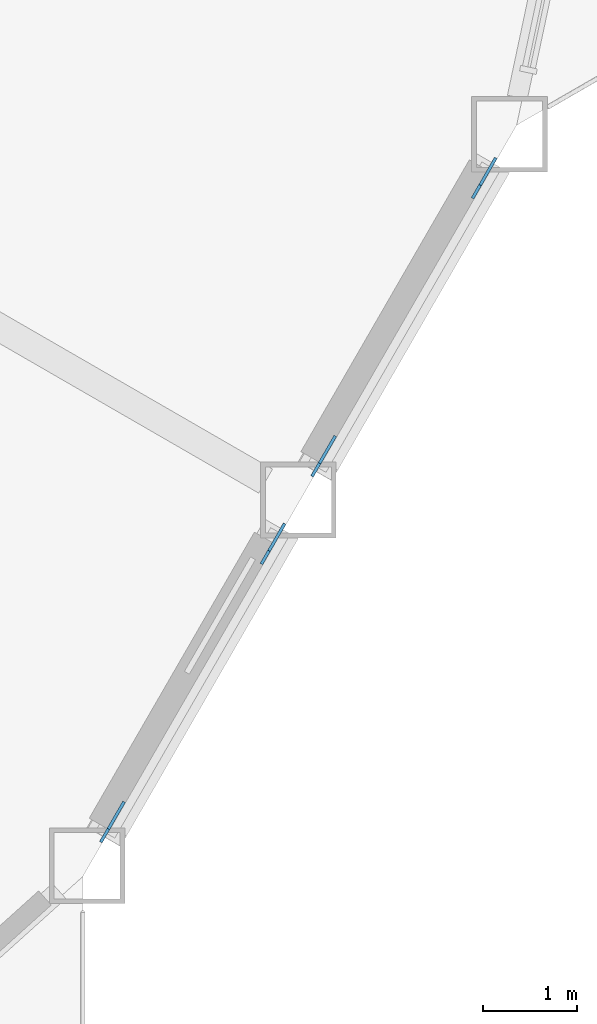
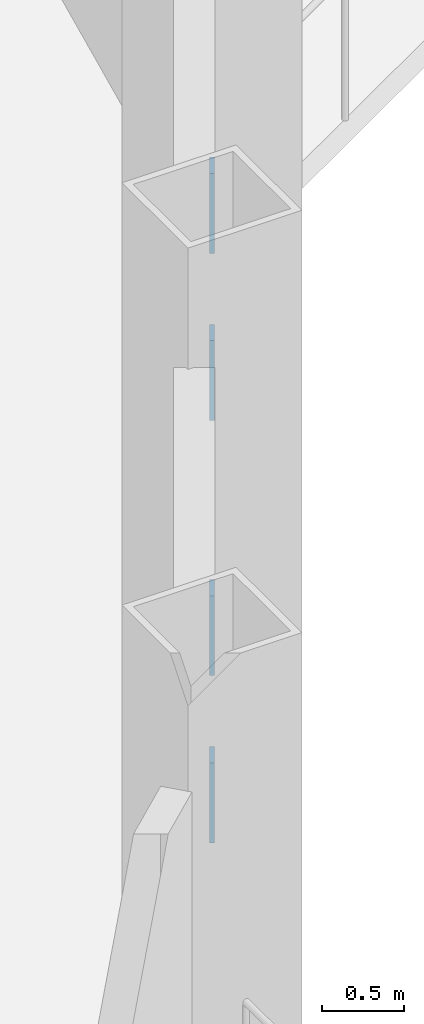
# One storey, part 17 of 23: 4 discrete accessories.
"""IFC4 building model written with IfcOpenShell, lengths in metres."""

from ifc_helpers import new_model, si_unit, direction, frame, origin, origin_2d, place, context, subcontext, project, spatial, rectangle, extrude, material, material_profile, profile_set, type_object, element, save


model = new_model("IFC4")

# Units and contexts
model_context = context("Model", 3, precision=1e-05, world=origin(), true_north=direction((0.0, 1.0)))
body_context = subcontext(model_context, "Body", "Model", "MODEL_VIEW")
ifc_project = project(units=[si_unit("LENGTHUNIT", "METRE"), si_unit("AREAUNIT", "SQUARE_METRE"), si_unit("VOLUMEUNIT", "CUBIC_METRE"), si_unit("PLANEANGLEUNIT", "RADIAN"), si_unit("MASSUNIT", "GRAM", prefix="KILO")], contexts=[model_context])

# Site, building, storey
site_placement = place(None, origin())
site = spatial("IfcSite", under=ifc_project, at=site_placement, CompositionType="ELEMENT")
building_placement = place(site_placement, origin())
building = spatial("IfcBuilding", under=site, at=building_placement, Name="Cormorant Prow Tower", CompositionType="ELEMENT")
storey_placement = place(building_placement, frame((0.0, 0.0, 212.39990234375)))
storey = spatial("IfcBuildingStorey", under=building, at=storey_placement, Name="L47", CompositionType="ELEMENT", Elevation=212.39990234375)

# Discrete accessories
ifc_material = material(Name="Structural steel ASTM A500 Gr C", Category="steel")
ifc_material_profile = material_profile(ifc_material, rectangle(XDim=0.031982421875, YDim=0.506103515625, at=origin_2d()), Name="Gusset plate 32x506")
ifc_profile_set = profile_set([ifc_material_profile], Name="Structural steel ASTM A500 Gr C")
discrete_accessory_type = type_object("IfcDiscreteAccessoryType", Name="Gusset plate 32x506", PredefinedType="BRACKET", material=ifc_profile_set)
discrete_accessory_1_placement = place(storey_placement, frame((27.7080078125, -16.807373046875, 0.835693359375), z_axis=(0.474172452765, 0.820736730742, -0.318671780755), x_axis=(-0.86587923604, 0.500253084543, 0.0)))
element("IfcDiscreteAccessory", 1, at=discrete_accessory_1_placement, inside=storey, type_object=discrete_accessory_type, Name="Gusset plate GP2 L47.ESE00.g0", PredefinedType="BRACKET", context=body_context, shape_type="SweptSolid", body=[
    extrude(rectangle(XDim=0.031982421875, YDim=0.506103515625, at=origin_2d()), origin(), (0.0, 0.0, 1.0), 0.35009765625),
])
discrete_accessory_2_placement = place(storey_placement, frame((26.17431640625, -19.463623046875, 1.865478515625), z_axis=(-0.47373689254, -0.821190460264, 0.318150254784), x_axis=(0.866197837791, -0.499701216534, 0.0)))
element("IfcDiscreteAccessory", 2, at=discrete_accessory_2_placement, inside=storey, type_object=discrete_accessory_type, Name="Gusset plate GP2 L47.ESE00.g1", PredefinedType="BRACKET", context=body_context, shape_type="SweptSolid", body=[
    extrude(rectangle(XDim=0.031982421875, YDim=0.506103515625, at=origin_2d()), origin(), (0.0, 0.0, 1.0), 0.349853515625),
])
for number, where, z_axis, x_axis, name in (
    (3, (29.943359375, -12.935791015625, 0.835693359375), (0.473631655621, 0.821008039272, -0.31877712315), (-0.866197837791, 0.499701216534, 0.0), "Gusset plate GP2 L47.ESE01.g0"),
    (4, (28.40966796875, -15.59228515625, 1.865478515625), (-0.4742777402, -0.820918970906, 0.31804507284), (0.86587923604, -0.500253084543, 0.0), "Gusset plate GP2 L47.ESE01.g1"),
):
    element("IfcDiscreteAccessory", number, at=place(storey_placement, frame(where, z_axis=z_axis, x_axis=x_axis)), inside=storey, type_object=discrete_accessory_type, Name=name, PredefinedType="BRACKET", context=body_context, shape_type="SweptSolid", body=[
        extrude(rectangle(XDim=0.031982421875, YDim=0.506103515625, at=origin_2d()), origin(), (0.0, 0.0, 1.0), 0.35009765625),
    ])

save(model, "model.ifc")
